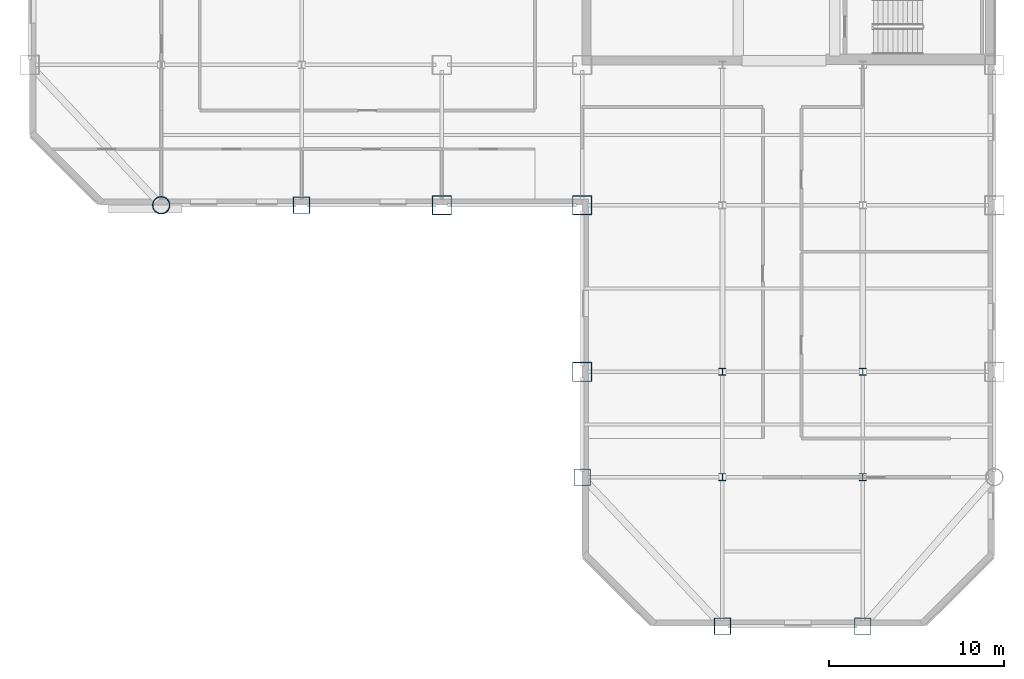
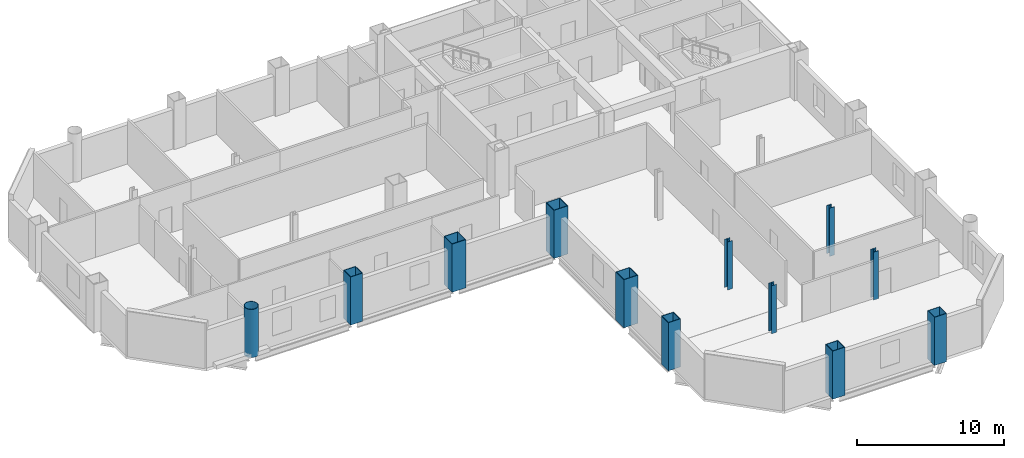
# One storey, part 1 of 10: 12 columns.
"""IFC4 building model written with IfcOpenShell, lengths in metres."""

from ifc_helpers import new_model, si_unit, direction, frame, origin, origin_2d, place, context, subcontext, project, spatial, hollow_rectangle, hollow_circle, i_section, extrude, material, material_profile, profile_set, type_object, element, save


model = new_model("IFC4")

# Units and contexts
model_context = context("Model", 3, precision=1e-05, world=origin(), true_north=direction((0.0, 1.0)))
body_context = subcontext(model_context, "Body", "Model", "MODEL_VIEW")
ifc_project = project(units=[si_unit("LENGTHUNIT", "METRE"), si_unit("AREAUNIT", "SQUARE_METRE"), si_unit("VOLUMEUNIT", "CUBIC_METRE"), si_unit("PLANEANGLEUNIT", "RADIAN"), si_unit("MASSUNIT", "GRAM", prefix="KILO")], contexts=[model_context])

# Site, building, storey
site_placement = place(None, origin())
site = spatial("IfcSite", under=ifc_project, at=site_placement, CompositionType="ELEMENT")
building_placement = place(site_placement, origin())
building = spatial("IfcBuilding", under=site, at=building_placement, Name="Qianrong Seaharbour Tower", CompositionType="ELEMENT")
storey_placement = place(building_placement, frame((0.0, 0.0, 175.0)))
storey = spatial("IfcBuildingStorey", under=building, at=storey_placement, Name="L42", CompositionType="ELEMENT", Elevation=175.0)

# Columns
ifc_material = material(Name="Structural steel SN490B", Category="steel")
ifc_material_profile_1 = material_profile(ifc_material, hollow_rectangle(XDim=1.10009765625, YDim=1.10009765625, WallThickness=0.0400390625, at=origin_2d()), Name="BOX1100x1100x40")
ifc_profile_set_1 = profile_set([ifc_material_profile_1], Name="Structural steel SN490B")
column_type_1 = type_object("IfcColumnType", Name="COL-CFT-1100", PredefinedType="COLUMN", material=ifc_profile_set_1)
for number, where, z_axis, x_axis, name in (
    (1, (32.5, 28.0, 0.0), (0.0, 0.0, 1.0), (1.0, 0.0, 0.0), "L42 Column MC-3 at G5/GE"),
    (2, (40.5, 18.5, 0.0), (0.0, 0.0, 1.0), (1.0, 0.0, 0.0), "L42 Column MC-3 at G6/GD"),
    (3, (40.5, 28.0, 0.0), (0.0, 0.0, 1.0), (1.0, 0.0, 0.0), "L42 Column MC-3 at G6/GE"),
):
    element("IfcColumn", number, at=place(storey_placement, frame(where, z_axis=z_axis, x_axis=x_axis)), inside=storey, type_object=column_type_1, Name=name, PredefinedType="COLUMN", context=body_context, shape_type="SweptSolid", body=[
        extrude(hollow_rectangle(XDim=1.10009765625, YDim=1.10009765625, WallThickness=0.0400390625, at=origin_2d()), origin(), (0.0, 0.0, 1.0), 4.0),
    ])
ifc_material_profile_2 = material_profile(ifc_material, hollow_circle(Radius=0.5, WallThickness=0.035888671875, at=origin_2d()), Name="CHS1000x36")
ifc_profile_set_2 = profile_set([ifc_material_profile_2], Name="Structural steel SN490B")
column_type_2 = type_object("IfcColumnType", Name="COL-CHS-1000", PredefinedType="COLUMN", material=ifc_profile_set_2)
column_placement = place(storey_placement, frame((16.5, 28.0, 0.0), z_axis=(0.0, 0.0, 1.0), x_axis=(1.0, 0.0, 0.0)))
element("IfcColumn", 4, at=column_placement, inside=storey, type_object=column_type_2, Name="L42 Column CC-2 at G3/GE", PredefinedType="COLUMN", context=body_context, shape_type="SweptSolid", body=[
    extrude(hollow_circle(Radius=0.5, WallThickness=0.035888671875, at=origin_2d()), origin(), (0.0, 0.0, 1.0), 4.0),
])
ifc_material_profile_3 = material_profile(ifc_material, i_section(OverallWidth=0.39990234375, OverallDepth=0.39990234375, WebThickness=0.012939453125, FlangeThickness=0.02099609375, FilletRadius=0.02197265625, at=origin_2d()), Name="H400x400x13x21")
ifc_profile_set_3 = profile_set([ifc_material_profile_3], Name="Structural steel SN490B")
column_type_3 = type_object("IfcColumnType", Name="COL-INT-H400", PredefinedType="COLUMN", material=ifc_profile_set_3)
for number, where, z_axis, x_axis, name in (
    (5, (48.5, 12.5, 0.0), (0.0, 0.0, 1.0), (1.0, 0.0, 0.0), "L42 Column IC-3 at G7/GC"),
    (6, (48.5, 18.5, 0.0), (0.0, 0.0, 1.0), (1.0, 0.0, 0.0), "L42 Column IC-3 at G7/GD"),
    (7, (56.5, 12.5, 0.0), (0.0, 0.0, 1.0), (1.0, 0.0, 0.0), "L42 Column IC-3 at G8/GC"),
    (8, (56.5, 18.5, 0.0), (0.0, 0.0, 1.0), (1.0, 0.0, 0.0), "L42 Column IC-3 at G8/GD"),
):
    element("IfcColumn", number, at=place(storey_placement, frame(where, z_axis=z_axis, x_axis=x_axis)), inside=storey, type_object=column_type_3, Name=name, PredefinedType="COLUMN", context=body_context, shape_type="SweptSolid", body=[
        extrude(i_section(OverallWidth=0.39990234375, OverallDepth=0.39990234375, WebThickness=0.012939453125, FlangeThickness=0.02099609375, FilletRadius=0.02197265625, at=origin_2d()), origin(), (0.0, 0.0, 1.0), 4.0),
    ])
ifc_material_profile_4 = material_profile(ifc_material, hollow_rectangle(XDim=0.949951171875, YDim=0.949951171875, WallThickness=0.035888671875, at=origin_2d()), Name="BOX950x950x36")
ifc_profile_set_4 = profile_set([ifc_material_profile_4], Name="Structural steel SN490B")
column_type_4 = type_object("IfcColumnType", Name="COL-PER-950", PredefinedType="COLUMN", material=ifc_profile_set_4)
for number, where, z_axis, x_axis, name in (
    (9, (24.5, 28.0, 0.0), (0.0, 0.0, 1.0), (1.0, 0.0, 0.0), "L42 Column PC-2 at G4/GE"),
    (10, (40.5, 12.5, 0.0), (0.0, 0.0, 1.0), (1.0, 0.0, 0.0), "L42 Column PC-2 at G6/GC"),
    (11, (48.5, 4.0, 0.0), (0.0, 0.0, 1.0), (1.0, 0.0, 0.0), "L42 Column PC-2 at G7/GB"),
    (12, (56.5, 4.0, 0.0), (0.0, 0.0, 1.0), (1.0, 0.0, 0.0), "L42 Column PC-2 at G8/GB"),
):
    element("IfcColumn", number, at=place(storey_placement, frame(where, z_axis=z_axis, x_axis=x_axis)), inside=storey, type_object=column_type_4, Name=name, PredefinedType="COLUMN", context=body_context, shape_type="SweptSolid", body=[
        extrude(hollow_rectangle(XDim=0.949951171875, YDim=0.949951171875, WallThickness=0.035888671875, at=origin_2d()), origin(), (0.0, 0.0, 1.0), 4.0),
    ])

save(model, "model.ifc")
